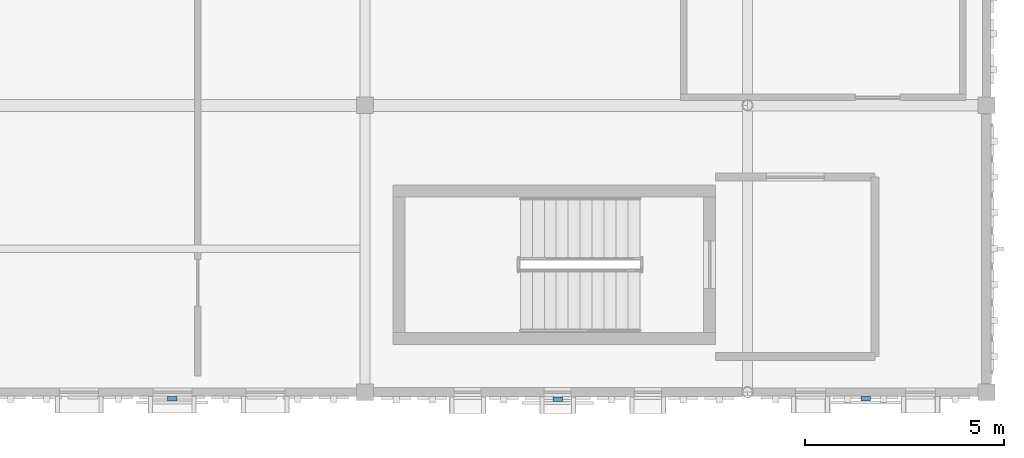
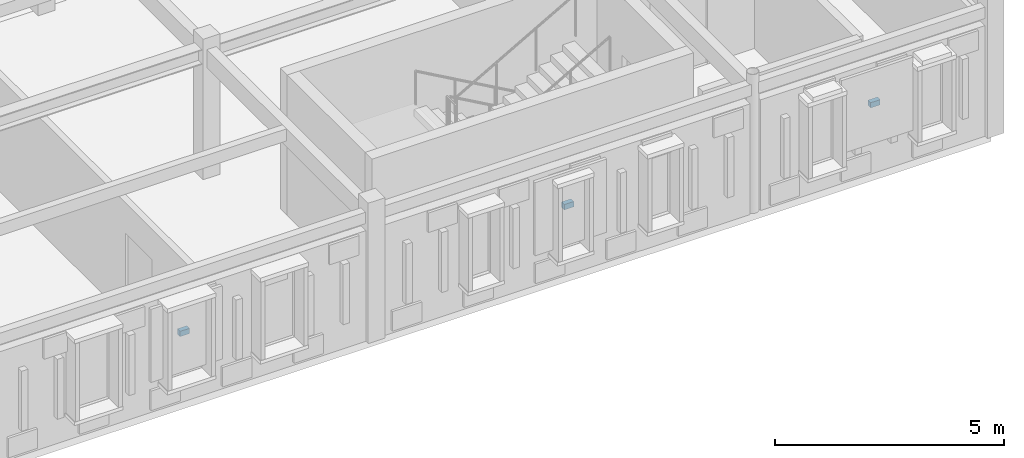
# One storey, part 34 of 46: 3 discrete accessories.
"""IFC4 building model written with IfcOpenShell, lengths in metres."""

from ifc_helpers import new_model, si_unit, direction, frame, origin, origin_2d, place, context, subcontext, project, spatial, rectangle, extrude, material, type_object, element, save


model = new_model("IFC4")

# Units and contexts
model_context = context("Model", 3, precision=1e-05, world=origin(), true_north=direction((0.0, 1.0)))
body_context = subcontext(model_context, "Body", "Model", "MODEL_VIEW")
ifc_project = project(units=[si_unit("LENGTHUNIT", "METRE"), si_unit("AREAUNIT", "SQUARE_METRE"), si_unit("VOLUMEUNIT", "CUBIC_METRE"), si_unit("PLANEANGLEUNIT", "RADIAN"), si_unit("MASSUNIT", "GRAM", prefix="KILO")], contexts=[model_context])

# Site, building, storey
site_placement = place(None, origin())
site = spatial("IfcSite", under=ifc_project, at=site_placement, CompositionType="ELEMENT")
building_placement = place(site_placement, origin())
building = spatial("IfcBuilding", under=site, at=building_placement, Name="Nzembalo Square Collegiate School", CompositionType="ELEMENT")
storey_placement = place(building_placement, frame((0.0, 0.0, 17.340087890625)))
storey = spatial("IfcBuildingStorey", under=building, at=storey_placement, Name="L04", CompositionType="ELEMENT", Elevation=17.340087890625)

# Discrete accessories
ifc_material = material(Name="Steel S355", Category="steel")
discrete_accessory_type = type_object("IfcDiscreteAccessoryType", Name="BK01", PredefinedType="BRACKET", material=ifc_material)
for number, where, z_axis, x_axis, name in (
    (1, (145.163330078125, 8.237548828125, 1.8544921875), (0.0, 0.0, 1.0), (1.0, 0.0, 0.0), "Screen bracket BK01-030"),
    (2, (154.836669921875, 8.222412109375, 1.8544921875), (0.0, 0.0, 1.0), (1.0, 0.0, 0.0), "Screen bracket BK01-031"),
    (3, (162.563232421875, 8.237548828125, 1.8544921875), (0.0, 0.0, 1.0), (1.0, 0.0, 0.0), "Screen bracket BK01-032"),
):
    element("IfcDiscreteAccessory", number, at=place(storey_placement, frame(where, z_axis=z_axis, x_axis=x_axis)), inside=storey, type_object=discrete_accessory_type, Name=name, PredefinedType="BRACKET", context=body_context, shape_type="SweptSolid", body=[
        extrude(rectangle(XDim=0.239990234375, YDim=0.1201171875, at=origin_2d()), origin(), (0.0, 0.0, 1.0), 0.139892578125),
    ])

save(model, "model.ifc")
